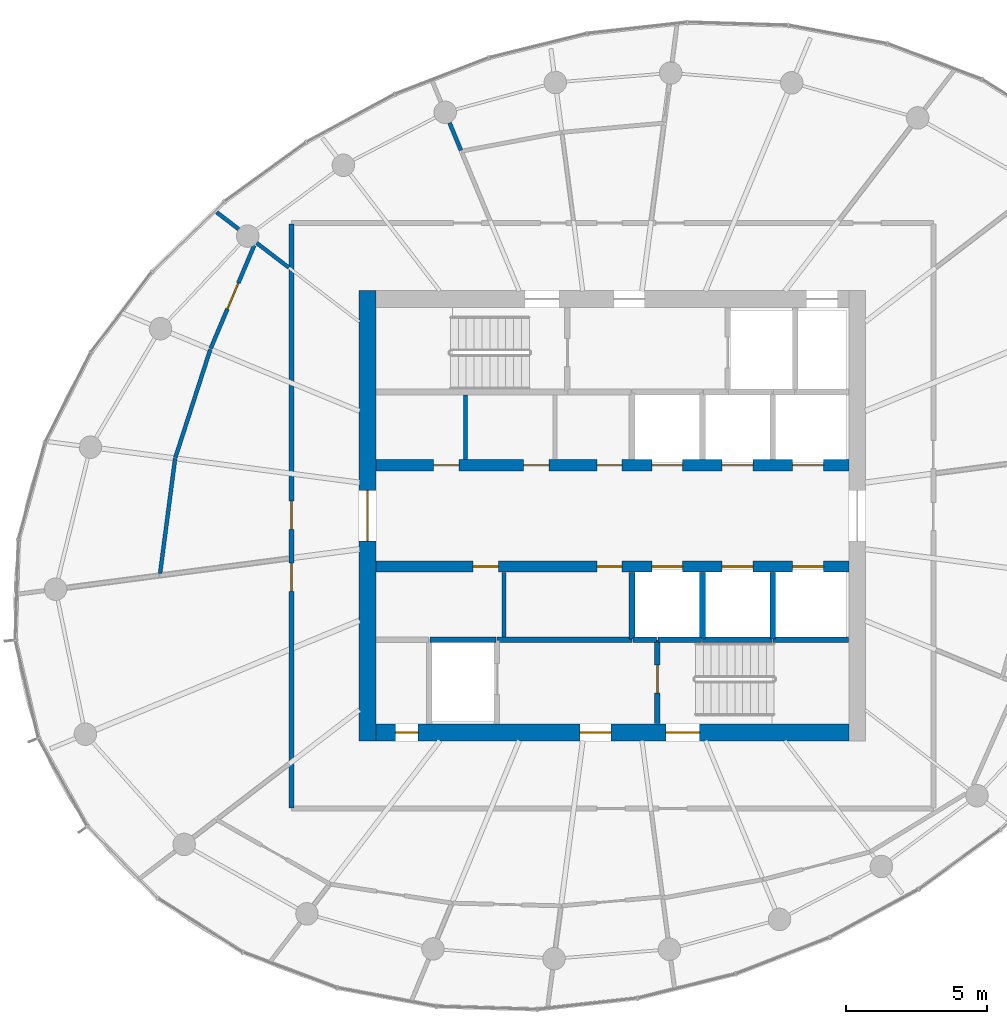
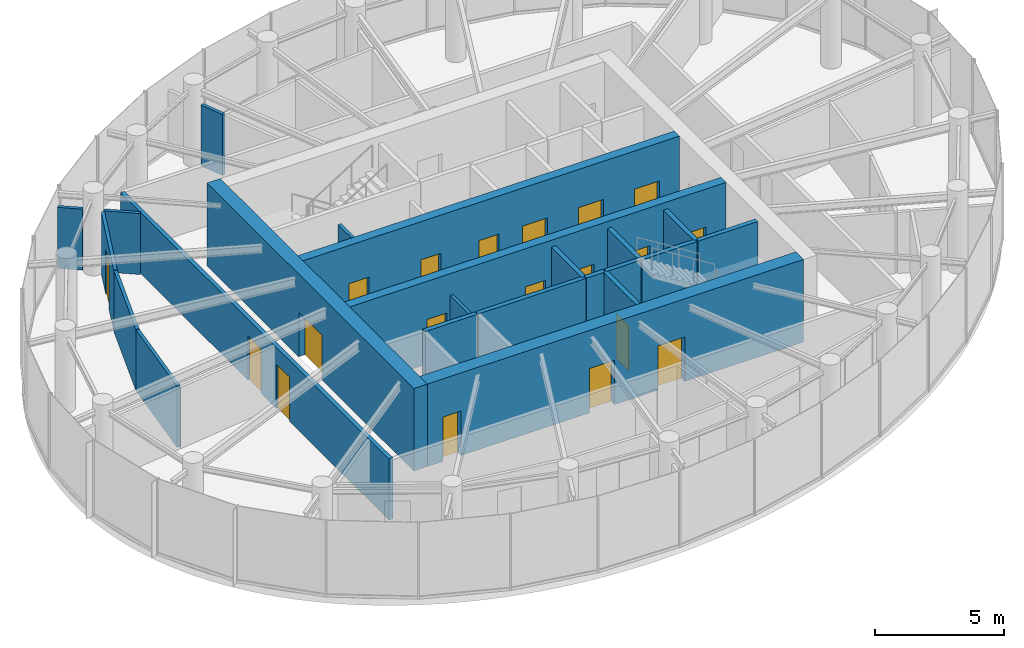
# One storey, part 9 of 13: 23 walls, 19 doors, 19 openings.
"""IFC4 building model written with IfcOpenShell, lengths in metres."""

from ifc_helpers import new_model, si_unit, direction, frame, frame_2d, origin, place, context, subcontext, project, spatial, rectangle, extrude, source, transform, mapped, material, layer, layer_set, type_object, element, fill, save


model = new_model("IFC4")

# Units and contexts
model_context = context("Model", 3, precision=1e-05, world=origin(), true_north=direction((0.0, 1.0)))
body_context = subcontext(model_context, "Body", "Model", "MODEL_VIEW")
ifc_project = project(units=[si_unit("LENGTHUNIT", "METRE"), si_unit("AREAUNIT", "SQUARE_METRE"), si_unit("VOLUMEUNIT", "CUBIC_METRE"), si_unit("PLANEANGLEUNIT", "RADIAN"), si_unit("MASSUNIT", "GRAM", prefix="KILO")], contexts=[model_context])

# Site, building, storey
site_placement = place(None, origin())
site = spatial("IfcSite", under=ifc_project, at=site_placement, CompositionType="ELEMENT")
building_placement = place(site_placement, origin())
building = spatial("IfcBuilding", under=site, at=building_placement, Name="Spindrift Exchange Tower", CompositionType="ELEMENT")
storey_placement = place(building_placement, frame((0.0, 0.0, 242.300048828125)))
storey = spatial("IfcBuildingStorey", under=building, at=storey_placement, Name="L59", CompositionType="ELEMENT", Elevation=242.300048828125)

# Wall, opening, door
ifc_material_1 = material(Name="Concrete 50 MPa", Category="concrete")
ifc_layer_1 = layer(ifc_material_1, 0.60009765625)
ifc_layer_set_1 = layer_set([ifc_layer_1], Name="RC Core Wall 600 Concrete 50 MPa")
wall_type_1 = type_object("IfcWallType", Name="RC Core Wall 600 Concrete 50 MPa", PredefinedType="SHEAR", material=ifc_layer_set_1)
wall_1_placement = place(storey_placement, frame((43.300048828125, 56.0, 0.0), z_axis=(0.0, 0.0, 1.0), x_axis=(0.0, -1.0, 0.0)))
wall_1 = element("IfcWall", 1, at=wall_1_placement, inside=storey, type_object=wall_type_1, Name="Core wall W L59", PredefinedType="SHEAR", context=body_context, shape_type="SweptSolid", body=[
    extrude(rectangle(XDim=16.0, YDim=0.60009765625, at=frame_2d((8.0, 0.0))), origin(), (0.0, 0.0, 1.0), 3.89990234375),
])
opening_1_placement = place(wall_1_placement, frame((7.10009765625, 0.0, 0.0)))
opening_1 = element("IfcOpeningElement", 2, at=opening_1_placement, cuts=wall_1, Name="Opening L59-D1", PredefinedType="OPENING", context=body_context, shape_type="SweptSolid", body=[
    extrude(rectangle(XDim=1.800048828125, YDim=2.10009765625, at=frame_2d((0.89990234375, 1.050048828125))), frame((0.0, 0.31005859375, 0.0), z_axis=(0.0, -1.0, 0.0), x_axis=(1.0, 0.0, 0.0)), (0.0, 0.0, 1.0), 0.6201171875),
])
ifc_material_2 = material(Name="Timber-core fire door", Category="wood")
door_type_1 = type_object("IfcDoorType", Name="DR-LOBBY-1800", OperationType="NOTDEFINED", PredefinedType="DOOR", material=ifc_material_2)
shared_shape_1 = source(origin(), body_context, "Body", "SweptSolid", [
    extrude(rectangle(XDim=1.800048828125, YDim=2.10009765625, at=frame_2d((0.89990234375, 1.050048828125))), frame((0.0, 0.02490234375, 0.0), z_axis=(0.0, -1.0, 0.0), x_axis=(1.0, 0.0, 0.0)), (0.0, 0.0, 1.0), 0.050048828125),
])
door_1_placement = place(opening_1_placement, origin())
door_1 = element("IfcDoor", 3, at=door_1_placement, inside=storey, type_object=door_type_1, Name="L59 Lobby door 1", OperationType="SINGLE_SWING_RIGHT", OverallHeight=2.10009765625, OverallWidth=1.800048828125, PredefinedType="DOOR", context=body_context, shape_type="MappedRepresentation", body=[
    mapped(shared_shape_1, transform((0.0, 0.0, 0.0), scale=1.0)),
])
fill(opening_1, door_1)

# Wall, openings, doors
wall_2_placement = place(storey_placement, frame((43.60009765625, 40.300048828125, 0.0), z_axis=(0.0, 0.0, 1.0), x_axis=(1.0, 0.0, 0.0)))
wall_2 = element("IfcWall", 4, at=wall_2_placement, inside=storey, type_object=wall_type_1, Name="Core wall S L59", PredefinedType="SHEAR", context=body_context, shape_type="SweptSolid", body=[
    extrude(rectangle(XDim=16.7998046875, YDim=0.60009765625, at=frame_2d((8.39990234375, 0.0))), origin(), (0.0, 0.0, 1.0), 3.89990234375),
])
opening_2_placement = place(wall_2_placement, frame((10.300048828125, 0.0, 0.0)))
opening_2 = element("IfcOpeningElement", 5, at=opening_2_placement, cuts=wall_2, Name="Opening L59-D15", PredefinedType="OPENING", context=body_context, shape_type="SweptSolid", body=[
    extrude(rectangle(XDim=1.199951171875, YDim=2.10009765625, at=frame_2d((0.60009765625, 1.050048828125))), frame((0.0, 0.31005859375, 0.0), z_axis=(0.0, -1.0, 0.0), x_axis=(1.0, 0.0, 0.0)), (0.0, 0.0, 1.0), 0.6201171875),
])
opening_3_placement = place(wall_2_placement, frame((7.25, 0.0, 0.0)))
opening_3 = element("IfcOpeningElement", 6, at=opening_3_placement, cuts=wall_2, Name="Opening L59-D17", PredefinedType="OPENING", context=body_context, shape_type="SweptSolid", body=[
    extrude(rectangle(XDim=1.10009765625, YDim=2.10009765625, at=frame_2d((0.550048828125, 1.050048828125))), frame((0.0, 0.31005859375, 0.0), z_axis=(0.0, -1.0, 0.0), x_axis=(1.0, 0.0, 0.0)), (0.0, 0.0, 1.0), 0.6201171875),
])
opening_4_placement = place(wall_2_placement, frame((0.699951171875, 0.0, 0.0)))
opening_4 = element("IfcOpeningElement", 7, at=opening_4_placement, cuts=wall_2, Name="Opening L59-D18", PredefinedType="OPENING", context=body_context, shape_type="SweptSolid", body=[
    extrude(rectangle(XDim=0.800048828125, YDim=2.10009765625, at=frame_2d((0.39990234375, 1.050048828125))), frame((0.0, 0.31005859375, 0.0), z_axis=(0.0, -1.0, 0.0), x_axis=(1.0, 0.0, 0.0)), (0.0, 0.0, 1.0), 0.6201171875),
])
ifc_material_3 = material(Name="Steel fire door", Category="steel")
door_type_2 = type_object("IfcDoorType", Name="DR-STAIR-1200", OperationType="NOTDEFINED", PredefinedType="DOOR", material=ifc_material_3)
shared_shape_2 = source(origin(), body_context, "Body", "SweptSolid", [
    extrude(rectangle(XDim=1.199951171875, YDim=2.10009765625, at=frame_2d((0.60009765625, 1.050048828125))), frame((0.0, 0.02490234375, 0.0), z_axis=(0.0, -1.0, 0.0), x_axis=(1.0, 0.0, 0.0)), (0.0, 0.0, 1.0), 0.050048828125),
])
door_2_placement = place(opening_2_placement, origin())
door_2 = element("IfcDoor", 8, at=door_2_placement, inside=storey, type_object=door_type_2, Name="L59 Stair door 15", OperationType="SINGLE_SWING_LEFT", OverallHeight=2.10009765625, OverallWidth=1.199951171875, PredefinedType="DOOR", context=body_context, shape_type="MappedRepresentation", body=[
    mapped(shared_shape_2, transform((0.0, 0.0, 0.0), scale=1.0)),
])
fill(opening_2, door_2)
door_type_3 = type_object("IfcDoorType", Name="DR-LOBBY-1100", OperationType="NOTDEFINED", PredefinedType="DOOR", material=ifc_material_2)
shared_shape_3 = source(origin(), body_context, "Body", "SweptSolid", [
    extrude(rectangle(XDim=1.10009765625, YDim=2.10009765625, at=frame_2d((0.550048828125, 1.050048828125))), frame((0.0, 0.02490234375, 0.0), z_axis=(0.0, -1.0, 0.0), x_axis=(1.0, 0.0, 0.0)), (0.0, 0.0, 1.0), 0.050048828125),
])
door_3_placement = place(opening_3_placement, origin())
door_3 = element("IfcDoor", 9, at=door_3_placement, inside=storey, type_object=door_type_3, Name="L59 Lobby door 17", OperationType="SINGLE_SWING_LEFT", OverallHeight=2.10009765625, OverallWidth=1.10009765625, PredefinedType="DOOR", context=body_context, shape_type="MappedRepresentation", body=[
    mapped(shared_shape_3, transform((0.0, 0.0, 0.0), scale=1.0)),
])
fill(opening_3, door_3)
ifc_material_4 = material(Name="Steel access door", Category="steel")
door_type_4 = type_object("IfcDoorType", Name="DR-RISER-800", OperationType="NOTDEFINED", PredefinedType="DOOR", material=ifc_material_4)
shared_shape_4 = source(origin(), body_context, "Body", "SweptSolid", [
    extrude(rectangle(XDim=0.800048828125, YDim=2.10009765625, at=frame_2d((0.39990234375, 1.050048828125))), frame((0.0, 0.02490234375, 0.0), z_axis=(0.0, -1.0, 0.0), x_axis=(1.0, 0.0, 0.0)), (0.0, 0.0, 1.0), 0.050048828125),
])
door_4_placement = place(opening_4_placement, origin())
door_4 = element("IfcDoor", 10, at=door_4_placement, inside=storey, type_object=door_type_4, Name="L59 Riser door 18", OperationType="SINGLE_SWING_RIGHT", OverallHeight=2.10009765625, OverallWidth=0.800048828125, PredefinedType="DOOR", context=body_context, shape_type="MappedRepresentation", body=[
    mapped(shared_shape_4, transform((0.0, 0.0, 0.0), scale=1.0)),
])
fill(opening_4, door_4)

ifc_layer_2 = layer(ifc_material_1, 0.39990234375)
ifc_layer_set_2 = layer_set([ifc_layer_2], Name="RC Spine Wall 400 Concrete 50 MPa")
wall_type_2 = type_object("IfcWallType", Name="RC Spine Wall 400 Concrete 50 MPa", PredefinedType="SHEAR", material=ifc_layer_set_2)
wall_3_placement = place(storey_placement, frame((43.60009765625, 49.800048828125, 0.0), z_axis=(0.0, 0.0, 1.0), x_axis=(1.0, 0.0, 0.0)))
wall_3 = element("IfcWall", 11, at=wall_3_placement, inside=storey, type_object=wall_type_2, Name="Core spine wall N L59", PredefinedType="SHEAR", context=body_context, shape_type="SweptSolid", body=[
    extrude(rectangle(XDim=16.7998046875, YDim=0.39990234375, at=frame_2d((8.39990234375, 0.0))), origin(), (0.0, 0.0, 1.0), 3.89990234375),
])
opening_5_placement = place(wall_3_placement, frame((9.800048828125, 0.0, 0.0)))
opening_5 = element("IfcOpeningElement", 12, at=opening_5_placement, cuts=wall_3, Name="Opening L59-D3", PredefinedType="OPENING", context=body_context, shape_type="SweptSolid", body=[
    extrude(rectangle(XDim=1.10009765625, YDim=2.10009765625, at=frame_2d((0.550048828125, 1.050048828125))), frame((0.0, 0.2099609375, 0.0), z_axis=(0.0, -1.0, 0.0), x_axis=(1.0, 0.0, 0.0)), (0.0, 0.0, 1.0), 0.419921875),
])
opening_6_placement = place(wall_3_placement, frame((12.300048828125, 0.0, 0.0)))
opening_6 = element("IfcOpeningElement", 13, at=opening_6_placement, cuts=wall_3, Name="Opening L59-D4", PredefinedType="OPENING", context=body_context, shape_type="SweptSolid", body=[
    extrude(rectangle(XDim=1.10009765625, YDim=2.10009765625, at=frame_2d((0.550048828125, 1.050048828125))), frame((0.0, 0.2099609375, 0.0), z_axis=(0.0, -1.0, 0.0), x_axis=(1.0, 0.0, 0.0)), (0.0, 0.0, 1.0), 0.419921875),
])
opening_7_placement = place(wall_3_placement, frame((14.800048828125, 0.0, 0.0)))
opening_7 = element("IfcOpeningElement", 14, at=opening_7_placement, cuts=wall_3, Name="Opening L59-D5", PredefinedType="OPENING", context=body_context, shape_type="SweptSolid", body=[
    extrude(rectangle(XDim=1.10009765625, YDim=2.10009765625, at=frame_2d((0.550048828125, 1.050048828125))), frame((0.0, 0.2099609375, 0.0), z_axis=(0.0, -1.0, 0.0), x_axis=(1.0, 0.0, 0.0)), (0.0, 0.0, 1.0), 0.419921875),
])
opening_8_placement = place(wall_3_placement, frame((2.050048828125, 0.0, 0.0)))
opening_8 = element("IfcOpeningElement", 15, at=opening_8_placement, cuts=wall_3, Name="Opening L59-D37", PredefinedType="OPENING", context=body_context, shape_type="SweptSolid", body=[
    extrude(rectangle(XDim=0.89990234375, YDim=2.10009765625, at=frame_2d((0.449951171875, 1.050048828125))), frame((0.0, 0.2099609375, 0.0), z_axis=(0.0, -1.0, 0.0), x_axis=(1.0, 0.0, 0.0)), (0.0, 0.0, 1.0), 0.419921875),
])
opening_9_placement = place(wall_3_placement, frame((5.25, 0.0, 0.0)))
opening_9 = element("IfcOpeningElement", 16, at=opening_9_placement, cuts=wall_3, Name="Opening L59-D38", PredefinedType="OPENING", context=body_context, shape_type="SweptSolid", body=[
    extrude(rectangle(XDim=0.89990234375, YDim=2.10009765625, at=frame_2d((0.449951171875, 1.050048828125))), frame((0.0, 0.2099609375, 0.0), z_axis=(0.0, -1.0, 0.0), x_axis=(1.0, 0.0, 0.0)), (0.0, 0.0, 1.0), 0.419921875),
])
opening_10_placement = place(wall_3_placement, frame((7.85009765625, 0.0, 0.0)))
opening_10 = element("IfcOpeningElement", 17, at=opening_10_placement, cuts=wall_3, Name="Opening L59-D39", PredefinedType="OPENING", context=body_context, shape_type="SweptSolid", body=[
    extrude(rectangle(XDim=0.89990234375, YDim=2.10009765625, at=frame_2d((0.449951171875, 1.050048828125))), frame((0.0, 0.2099609375, 0.0), z_axis=(0.0, -1.0, 0.0), x_axis=(1.0, 0.0, 0.0)), (0.0, 0.0, 1.0), 0.419921875),
])
ifc_material_5 = material(Name="Stainless steel landing door", Category="steel")
door_type_5 = type_object("IfcDoorType", Name="DR-LANDING-1100-SL", OperationType="DOUBLE_DOOR_SLIDING", PredefinedType="USERDEFINED", material=ifc_material_5)
shared_shape_5 = source(origin(), body_context, "Body", "SweptSolid", [
    extrude(rectangle(XDim=1.10009765625, YDim=2.10009765625, at=frame_2d((0.550048828125, 1.050048828125))), frame((0.0, 0.02490234375, 0.0), z_axis=(0.0, -1.0, 0.0), x_axis=(1.0, 0.0, 0.0)), (0.0, 0.0, 1.0), 0.050048828125),
])
door_5_placement = place(opening_5_placement, origin())
door_5 = element("IfcDoor", 18, at=door_5_placement, inside=storey, type_object=door_type_5, Name="L59 Lift landing door 3", ObjectType="LANDING DOOR", OperationType="DOUBLE_DOOR_SLIDING", OverallHeight=2.10009765625, OverallWidth=1.10009765625, PredefinedType="USERDEFINED", context=body_context, shape_type="MappedRepresentation", body=[
    mapped(shared_shape_5, transform((0.0, 0.0, 0.0), scale=1.0)),
])
fill(opening_5, door_5)
door_6_placement = place(opening_6_placement, origin())
door_6 = element("IfcDoor", 19, at=door_6_placement, inside=storey, type_object=door_type_5, Name="L59 Lift landing door 4", ObjectType="LANDING DOOR", OperationType="DOUBLE_DOOR_SLIDING", OverallHeight=2.10009765625, OverallWidth=1.10009765625, PredefinedType="USERDEFINED", context=body_context, shape_type="MappedRepresentation", body=[
    mapped(shared_shape_5, transform((0.0, 0.0, 0.0), scale=1.0)),
])
fill(opening_6, door_6)
door_7_placement = place(opening_7_placement, origin())
door_7 = element("IfcDoor", 20, at=door_7_placement, inside=storey, type_object=door_type_5, Name="L59 Lift landing door 5", ObjectType="LANDING DOOR", OperationType="DOUBLE_DOOR_SLIDING", OverallHeight=2.10009765625, OverallWidth=1.10009765625, PredefinedType="USERDEFINED", context=body_context, shape_type="MappedRepresentation", body=[
    mapped(shared_shape_5, transform((0.0, 0.0, 0.0), scale=1.0)),
])
fill(opening_7, door_7)
door_type_6 = type_object("IfcDoorType", Name="DR-RISER-900", OperationType="NOTDEFINED", PredefinedType="DOOR", material=ifc_material_4)
shared_shape_6 = source(origin(), body_context, "Body", "SweptSolid", [
    extrude(rectangle(XDim=0.89990234375, YDim=2.10009765625, at=frame_2d((0.449951171875, 1.050048828125))), frame((0.0, 0.02490234375, 0.0), z_axis=(0.0, -1.0, 0.0), x_axis=(1.0, 0.0, 0.0)), (0.0, 0.0, 1.0), 0.050048828125),
])
door_8_placement = place(opening_8_placement, origin())
door_8 = element("IfcDoor", 21, at=door_8_placement, inside=storey, type_object=door_type_6, Name="L59 Riser door 37", OperationType="SINGLE_SWING_LEFT", OverallHeight=2.10009765625, OverallWidth=0.89990234375, PredefinedType="DOOR", context=body_context, shape_type="MappedRepresentation", body=[
    mapped(shared_shape_6, transform((0.0, 0.0, 0.0), scale=1.0)),
])
fill(opening_8, door_8)
door_9_placement = place(opening_9_placement, origin())
door_9 = element("IfcDoor", 22, at=door_9_placement, inside=storey, type_object=door_type_6, Name="L59 Riser door 38", OperationType="SINGLE_SWING_RIGHT", OverallHeight=2.10009765625, OverallWidth=0.89990234375, PredefinedType="DOOR", context=body_context, shape_type="MappedRepresentation", body=[
    mapped(shared_shape_6, transform((0.0, 0.0, 0.0), scale=1.0)),
])
fill(opening_9, door_9)
door_10_placement = place(opening_10_placement, origin())
door_10 = element("IfcDoor", 23, at=door_10_placement, inside=storey, type_object=door_type_6, Name="L59 Riser door 39", OperationType="SINGLE_SWING_LEFT", OverallHeight=2.10009765625, OverallWidth=0.89990234375, PredefinedType="DOOR", context=body_context, shape_type="MappedRepresentation", body=[
    mapped(shared_shape_6, transform((0.0, 0.0, 0.0), scale=1.0)),
])
fill(opening_10, door_10)

wall_4_placement = place(storey_placement, frame((43.60009765625, 46.199951171875, 0.0), z_axis=(0.0, 0.0, 1.0), x_axis=(1.0, 0.0, 0.0)))
wall_4 = element("IfcWall", 24, at=wall_4_placement, inside=storey, type_object=wall_type_2, Name="Core spine wall S L59", PredefinedType="SHEAR", context=body_context, shape_type="SweptSolid", body=[
    extrude(rectangle(XDim=16.7998046875, YDim=0.39990234375, at=frame_2d((8.39990234375, 0.0))), origin(), (0.0, 0.0, 1.0), 3.89990234375),
])
opening_11_placement = place(wall_4_placement, frame((9.800048828125, 0.0, 0.0)))
opening_11 = element("IfcOpeningElement", 25, at=opening_11_placement, cuts=wall_4, Name="Opening L59-D6", PredefinedType="OPENING", context=body_context, shape_type="SweptSolid", body=[
    extrude(rectangle(XDim=1.10009765625, YDim=2.10009765625, at=frame_2d((0.550048828125, 1.050048828125))), frame((0.0, 0.2099609375, 0.0), z_axis=(0.0, -1.0, 0.0), x_axis=(1.0, 0.0, 0.0)), (0.0, 0.0, 1.0), 0.419921875),
])
opening_12_placement = place(wall_4_placement, frame((12.300048828125, 0.0, 0.0)))
opening_12 = element("IfcOpeningElement", 26, at=opening_12_placement, cuts=wall_4, Name="Opening L59-D7", PredefinedType="OPENING", context=body_context, shape_type="SweptSolid", body=[
    extrude(rectangle(XDim=1.10009765625, YDim=2.10009765625, at=frame_2d((0.550048828125, 1.050048828125))), frame((0.0, 0.2099609375, 0.0), z_axis=(0.0, -1.0, 0.0), x_axis=(1.0, 0.0, 0.0)), (0.0, 0.0, 1.0), 0.419921875),
])
opening_13_placement = place(wall_4_placement, frame((14.800048828125, 0.0, 0.0)))
opening_13 = element("IfcOpeningElement", 27, at=opening_13_placement, cuts=wall_4, Name="Opening L59-D8", PredefinedType="OPENING", context=body_context, shape_type="SweptSolid", body=[
    extrude(rectangle(XDim=1.10009765625, YDim=2.10009765625, at=frame_2d((0.550048828125, 1.050048828125))), frame((0.0, 0.2099609375, 0.0), z_axis=(0.0, -1.0, 0.0), x_axis=(1.0, 0.0, 0.0)), (0.0, 0.0, 1.0), 0.419921875),
])
opening_14_placement = place(wall_4_placement, frame((3.449951171875, 0.0, 0.0)))
opening_14 = element("IfcOpeningElement", 28, at=opening_14_placement, cuts=wall_4, Name="Opening L59-D40", PredefinedType="OPENING", context=body_context, shape_type="SweptSolid", body=[
    extrude(rectangle(XDim=0.89990234375, YDim=2.10009765625, at=frame_2d((0.449951171875, 1.050048828125))), frame((0.0, 0.2099609375, 0.0), z_axis=(0.0, -1.0, 0.0), x_axis=(1.0, 0.0, 0.0)), (0.0, 0.0, 1.0), 0.419921875),
])
opening_15_placement = place(wall_4_placement, frame((7.85009765625, 0.0, 0.0)))
opening_15 = element("IfcOpeningElement", 29, at=opening_15_placement, cuts=wall_4, Name="Opening L59-D41", PredefinedType="OPENING", context=body_context, shape_type="SweptSolid", body=[
    extrude(rectangle(XDim=0.89990234375, YDim=2.10009765625, at=frame_2d((0.449951171875, 1.050048828125))), frame((0.0, 0.2099609375, 0.0), z_axis=(0.0, -1.0, 0.0), x_axis=(1.0, 0.0, 0.0)), (0.0, 0.0, 1.0), 0.419921875),
])
door_11_placement = place(opening_11_placement, origin())
door_11 = element("IfcDoor", 30, at=door_11_placement, inside=storey, type_object=door_type_5, Name="L59 Lift landing door 6", ObjectType="LANDING DOOR", OperationType="DOUBLE_DOOR_SLIDING", OverallHeight=2.10009765625, OverallWidth=1.10009765625, PredefinedType="USERDEFINED", context=body_context, shape_type="MappedRepresentation", body=[
    mapped(shared_shape_5, transform((0.0, 0.0, 0.0), scale=1.0)),
])
fill(opening_11, door_11)
door_12_placement = place(opening_12_placement, origin())
door_12 = element("IfcDoor", 31, at=door_12_placement, inside=storey, type_object=door_type_5, Name="L59 Lift landing door 7", ObjectType="LANDING DOOR", OperationType="DOUBLE_DOOR_SLIDING", OverallHeight=2.10009765625, OverallWidth=1.10009765625, PredefinedType="USERDEFINED", context=body_context, shape_type="MappedRepresentation", body=[
    mapped(shared_shape_5, transform((0.0, 0.0, 0.0), scale=1.0)),
])
fill(opening_12, door_12)
door_13_placement = place(opening_13_placement, origin())
door_13 = element("IfcDoor", 32, at=door_13_placement, inside=storey, type_object=door_type_5, Name="L59 Lift landing door 8", ObjectType="LANDING DOOR", OperationType="DOUBLE_DOOR_SLIDING", OverallHeight=2.10009765625, OverallWidth=1.10009765625, PredefinedType="USERDEFINED", context=body_context, shape_type="MappedRepresentation", body=[
    mapped(shared_shape_5, transform((0.0, 0.0, 0.0), scale=1.0)),
])
fill(opening_13, door_13)
door_14_placement = place(opening_14_placement, origin())
door_14 = element("IfcDoor", 33, at=door_14_placement, inside=storey, type_object=door_type_6, Name="L59 Riser door 40", OperationType="SINGLE_SWING_RIGHT", OverallHeight=2.10009765625, OverallWidth=0.89990234375, PredefinedType="DOOR", context=body_context, shape_type="MappedRepresentation", body=[
    mapped(shared_shape_6, transform((0.0, 0.0, 0.0), scale=1.0)),
])
fill(opening_14, door_14)
door_15_placement = place(opening_15_placement, origin())
door_15 = element("IfcDoor", 34, at=door_15_placement, inside=storey, type_object=door_type_6, Name="L59 Riser door 41", OperationType="SINGLE_SWING_LEFT", OverallHeight=2.10009765625, OverallWidth=0.89990234375, PredefinedType="DOOR", context=body_context, shape_type="MappedRepresentation", body=[
    mapped(shared_shape_6, transform((0.0, 0.0, 0.0), scale=1.0)),
])
fill(opening_15, door_15)

ifc_material_6 = material(Name="Fire-rated plasterboard partition", Category="gypsum")
ifc_layer_3 = layer(ifc_material_6, 0.179931640625)
ifc_layer_set_3 = layer_set([ifc_layer_3], Name="W-CORR-180")
wall_type_3 = type_object("IfcWallType", Name="W-CORR-180", PredefinedType="PARTITIONING", material=ifc_layer_set_3)
wall_5_placement = place(storey_placement, frame((40.60009765625, 37.6298828125, 0.0), z_axis=(0.0, 0.0, 1.0), x_axis=(0.0, 1.0, 0.0)))
wall_5 = element("IfcWall", 35, at=wall_5_placement, inside=storey, type_object=wall_type_3, Name="L59 Partition wall 30", PredefinedType="PARTITIONING", context=body_context, shape_type="SweptSolid", body=[
    extrude(rectangle(XDim=20.740234375, YDim=0.179931640625, at=frame_2d((10.3701171875, 0.0))), origin(), (0.0, 0.0, 1.0), 2.8798828125),
])
opening_16_placement = place(wall_5_placement, frame((9.889892578125, 0.0, 0.0)))
opening_16 = element("IfcOpeningElement", 36, at=opening_16_placement, cuts=wall_5, Name="Opening L59-D22", PredefinedType="OPENING", context=body_context, shape_type="SweptSolid", body=[
    extrude(rectangle(XDim=1.0, YDim=2.10009765625, at=frame_2d((0.5, 1.050048828125))), frame((0.0, 0.099853515625, 0.0), z_axis=(0.0, -1.0, 0.0), x_axis=(1.0, 0.0, 0.0)), (0.0, 0.0, 1.0), 0.199951171875),
])
opening_17_placement = place(wall_5_placement, frame((7.68994140625, 0.0, 0.0)))
opening_17 = element("IfcOpeningElement", 37, at=opening_17_placement, cuts=wall_5, Name="Opening L59-D24", PredefinedType="OPENING", context=body_context, shape_type="SweptSolid", body=[
    extrude(rectangle(XDim=1.0, YDim=2.10009765625, at=frame_2d((0.5, 1.050048828125))), frame((0.0, 0.099853515625, 0.0), z_axis=(0.0, -1.0, 0.0), x_axis=(1.0, 0.0, 0.0)), (0.0, 0.0, 1.0), 0.199951171875),
])
door_type_7 = type_object("IfcDoorType", Name="DR-ROOM-1000", OperationType="NOTDEFINED", PredefinedType="DOOR", material=ifc_material_2)
shared_shape_7 = source(origin(), body_context, "Body", "SweptSolid", [
    extrude(rectangle(XDim=1.0, YDim=2.10009765625, at=frame_2d((0.5, 1.050048828125))), frame((0.0, 0.02490234375, 0.0), z_axis=(0.0, -1.0, 0.0), x_axis=(1.0, 0.0, 0.0)), (0.0, 0.0, 1.0), 0.050048828125),
])
door_16_placement = place(opening_16_placement, origin())
door_16 = element("IfcDoor", 38, at=door_16_placement, inside=storey, type_object=door_type_7, Name="L59 Door 22", OperationType="SINGLE_SWING_RIGHT", OverallHeight=2.10009765625, OverallWidth=1.0, PredefinedType="DOOR", context=body_context, shape_type="MappedRepresentation", body=[
    mapped(shared_shape_7, transform((0.0, 0.0, 0.0), scale=1.0)),
])
fill(opening_16, door_16)
door_17_placement = place(opening_17_placement, origin())
door_17 = element("IfcDoor", 39, at=door_17_placement, inside=storey, type_object=door_type_7, Name="L59 Door 24", OperationType="SINGLE_SWING_RIGHT", OverallHeight=2.10009765625, OverallWidth=1.0, PredefinedType="DOOR", context=body_context, shape_type="MappedRepresentation", body=[
    mapped(shared_shape_7, transform((0.0, 0.0, 0.0), scale=1.0)),
])
fill(opening_17, door_17)

# Walls
ifc_layer_4 = layer(ifc_material_6, 0.139892578125)
ifc_layer_set_4 = layer_set([ifc_layer_4], Name="W-PART-140")
wall_type_4 = type_object("IfcWallType", Name="W-PART-140", PredefinedType="PARTITIONING", material=ifc_layer_set_4)
wall_6_placement = place(storey_placement, frame((36.47021484375, 50.04443359375, 0.0), z_axis=(0.0, 0.0, 1.0), x_axis=(-0.12966570193, -0.991557767224, 0.0)))
element("IfcWall", 40, at=wall_6_placement, inside=storey, type_object=wall_type_4, Name="L59 Partition wall 36", PredefinedType="PARTITIONING", context=body_context, shape_type="SweptSolid", body=[
    extrude(rectangle(XDim=4.12353515625, YDim=0.139892578125, at=frame_2d((2.061767578125, 0.0))), origin(), (0.0, 0.0, 1.0), 2.8798828125),
])
wall_7_placement = place(storey_placement, frame((37.719482421875, 53.915283203125, 0.0), z_axis=(0.0, 0.0, 1.0), x_axis=(-0.307124685322, -0.951669284818, 0.0)))
element("IfcWall", 41, at=wall_7_placement, inside=storey, type_object=wall_type_4, Name="L59 Partition wall 37", PredefinedType="PARTITIONING", context=body_context, shape_type="SweptSolid", body=[
    extrude(rectangle(XDim=4.037353515625, YDim=0.139892578125, at=frame_2d((2.0185546875, 0.0))), origin(), (0.0, 0.0, 1.0), 2.8798828125),
])

# Wall, opening, door
wall_8_placement = place(storey_placement, frame((37.731201171875, 53.94287109375, 0.0), z_axis=(0.0, 0.0, 1.0), x_axis=(0.389219643962, 0.921144977055, 0.0)))
wall_8 = element("IfcWall", 42, at=wall_8_placement, inside=storey, type_object=wall_type_4, Name="L59 Partition wall 40", PredefinedType="PARTITIONING", context=body_context, shape_type="SweptSolid", body=[
    extrude(rectangle(XDim=3.979248046875, YDim=0.139892578125, at=frame_2d((1.98974609375, 0.0))), origin(), (0.0, 0.0, 1.0), 2.8798828125),
])
opening_18_placement = place(wall_8_placement, frame((1.529541015625, 0.0, 0.0)))
opening_18 = element("IfcOpeningElement", 43, at=opening_18_placement, cuts=wall_8, Name="Opening L59-D23", PredefinedType="OPENING", context=body_context, shape_type="SweptSolid", body=[
    extrude(rectangle(XDim=1.0, YDim=2.10009765625, at=frame_2d((0.5, 1.050048828125))), frame((0.0, 0.079833984375, 0.0), z_axis=(0.0, -1.0, 0.0), x_axis=(1.0, 0.0, 0.0)), (0.0, 0.0, 1.0), 0.159912109375),
])
door_18_placement = place(opening_18_placement, origin())
door_18 = element("IfcDoor", 44, at=door_18_placement, inside=storey, type_object=door_type_7, Name="L59 Door 23", OperationType="SINGLE_SWING_LEFT", OverallHeight=2.10009765625, OverallWidth=1.0, PredefinedType="DOOR", context=body_context, shape_type="MappedRepresentation", body=[
    mapped(shared_shape_7, transform((0.0, 0.0, 0.0), scale=1.0)),
])
fill(opening_18, door_18)

# Walls
for number, where, z_axis, x_axis, name in (
    (45, (46.784912109375, 50.010009765625, 0.0), (0.0, 0.0, 1.0), (0.0, 1.0, 0.0), "L59 Partition wall 57"),
    (46, (48.14990234375, 43.699951171875, 0.0), (0.0, 0.0, 1.0), (0.0, 1.0, 0.0), "L59 Partition wall 58"),
):
    element("IfcWall", number, at=place(storey_placement, frame(where, z_axis=z_axis, x_axis=x_axis)), inside=storey, type_object=wall_type_4, Name=name, PredefinedType="PARTITIONING", context=body_context, shape_type="SweptSolid", body=[
        extrude(rectangle(XDim=2.2900390625, YDim=0.139892578125, at=frame_2d((1.14501953125, 0.0))), origin(), (0.0, 0.0, 1.0), 2.8798828125),
    ])
wall_9_placement = place(storey_placement, frame((40.510009765625, 56.816650390625, 0.0), z_axis=(0.0, 0.0, 1.0), x_axis=(-0.793316945216, 0.608808857059, 0.0)))
element("IfcWall", 47, at=wall_9_placement, inside=storey, type_object=wall_type_4, Name="L59 Partition wall 65", PredefinedType="PARTITIONING", context=body_context, shape_type="SweptSolid", body=[
    extrude(rectangle(XDim=1.439697265625, YDim=0.139892578125, at=frame_2d((0.7197265625, 0.0))), origin(), (0.0, 0.0, 1.0), 2.8798828125),
])
wall_10_placement = place(storey_placement, frame((46.622802734375, 60.98193359375, 0.0), z_axis=(0.0, 0.0, 1.0), x_axis=(-0.382698137168, 0.923873441445, 0.0)))
element("IfcWall", 48, at=wall_10_placement, inside=storey, type_object=wall_type_4, Name="L59 Partition wall 73", PredefinedType="PARTITIONING", context=body_context, shape_type="SweptSolid", body=[
    extrude(rectangle(XDim=1.058349609375, YDim=0.139892578125, at=frame_2d((0.529296875, 0.0))), origin(), (0.0, 0.0, 1.0), 2.8798828125),
])
wall_11_placement = place(storey_placement, frame((38.72607421875, 58.185546875, 0.0), z_axis=(0.0, 0.0, 1.0), x_axis=(-0.793454398597, 0.608629704622, 0.0)))
element("IfcWall", 49, at=wall_11_placement, inside=storey, type_object=wall_type_4, Name="L59 Partition wall 78", PredefinedType="PARTITIONING", context=body_context, shape_type="SweptSolid", body=[
    extrude(rectangle(XDim=0.982666015625, YDim=0.139892578125, at=frame_2d((0.4912109375, 0.0))), origin(), (0.0, 0.0, 1.0), 2.8798828125),
])
ifc_material_7 = material(Name="Concrete 40 MPa", Category="concrete")
ifc_layer_5 = layer(ifc_material_7, 0.199951171875)
ifc_layer_set_5 = layer_set([ifc_layer_5], Name="W-SHAFT-200")
wall_type_5 = type_object("IfcWallType", Name="W-SHAFT-200", PredefinedType="SOLIDWALL", material=ifc_layer_set_5)
wall_12_placement = place(storey_placement, frame((52.699951171875, 43.60009765625, 0.0), z_axis=(0.0, 0.0, 1.0), x_axis=(-1.0, 0.0, 0.0)))
element("IfcWall", 50, at=wall_12_placement, inside=storey, type_object=wall_type_5, Name="L59 Shaft wall 2", PredefinedType="SOLIDWALL", context=body_context, shape_type="SweptSolid", body=[
    extrude(rectangle(XDim=4.800048828125, YDim=0.199951171875, at=frame_2d((2.39990234375, 0.0))), origin(), (0.0, 0.0, 1.0), 3.579833984375),
])
wall_13_placement = place(storey_placement, frame((47.8701171875, 43.60009765625, 0.0), z_axis=(0.0, 0.0, 1.0), x_axis=(-1.0, 0.0, 0.0)))
element("IfcWall", 51, at=wall_13_placement, inside=storey, type_object=wall_type_5, Name="L59 Shaft wall 12", PredefinedType="SOLIDWALL", context=body_context, shape_type="SweptSolid", body=[
    extrude(rectangle(XDim=2.340087890625, YDim=0.199951171875, at=frame_2d((1.169921875, 0.0))), origin(), (0.0, 0.0, 1.0), 3.579833984375),
])
wall_14_placement = place(storey_placement, frame((52.699951171875, 45.989990234375, 0.0), z_axis=(0.0, 0.0, 1.0), x_axis=(0.0, -1.0, 0.0)))
element("IfcWall", 52, at=wall_14_placement, inside=storey, type_object=wall_type_5, Name="L59 Shaft wall 13", PredefinedType="SOLIDWALL", context=body_context, shape_type="SweptSolid", body=[
    extrude(rectangle(XDim=2.360107421875, YDim=0.199951171875, at=frame_2d((1.18017578125, 0.0))), origin(), (0.0, 0.0, 1.0), 3.579833984375),
])

# Wall, opening, door
ifc_layer_6 = layer(ifc_material_7, 0.199951171875)
ifc_layer_set_6 = layer_set([ifc_layer_6], Name="W-SHAFT-200-LB")
wall_type_6 = type_object("IfcWallType", Name="W-SHAFT-200-LB", PredefinedType="SOLIDWALL", material=ifc_layer_set_6)
wall_15_placement = place(storey_placement, frame((53.60009765625, 43.60009765625, 0.0), z_axis=(0.0, 0.0, 1.0), x_axis=(0.0, -1.0, 0.0)))
wall_15 = element("IfcWall", 53, at=wall_15_placement, inside=storey, type_object=wall_type_6, Name="L59 Shaft wall 6", PredefinedType="SOLIDWALL", context=body_context, shape_type="SweptSolid", body=[
    extrude(rectangle(XDim=2.97998046875, YDim=0.199951171875, at=frame_2d((1.489990234375, 0.0))), origin(), (0.0, 0.0, 1.0), 3.579833984375),
])
opening_19_placement = place(wall_15_placement, frame((0.89990234375, 0.0, 0.0)))
opening_19 = element("IfcOpeningElement", 54, at=opening_19_placement, cuts=wall_15, Name="Opening L59-D16", PredefinedType="OPENING", context=body_context, shape_type="SweptSolid", body=[
    extrude(rectangle(XDim=1.0, YDim=2.10009765625, at=frame_2d((0.5, 1.050048828125))), frame((0.0, 0.10986328125, 0.0), z_axis=(0.0, -1.0, 0.0), x_axis=(1.0, 0.0, 0.0)), (0.0, 0.0, 1.0), 0.219970703125),
])
door_type_8 = type_object("IfcDoorType", Name="DR-STAIR-1000", OperationType="NOTDEFINED", PredefinedType="DOOR", material=ifc_material_3)
shared_shape_8 = source(origin(), body_context, "Body", "SweptSolid", [
    extrude(rectangle(XDim=1.0, YDim=2.10009765625, at=frame_2d((0.5, 1.050048828125))), frame((0.0, 0.02490234375, 0.0), z_axis=(0.0, -1.0, 0.0), x_axis=(1.0, 0.0, 0.0)), (0.0, 0.0, 1.0), 0.050048828125),
])
door_19_placement = place(opening_19_placement, origin())
door_19 = element("IfcDoor", 55, at=door_19_placement, inside=storey, type_object=door_type_8, Name="L59 Stair door 16", OperationType="SINGLE_SWING_RIGHT", OverallHeight=2.10009765625, OverallWidth=1.0, PredefinedType="DOOR", context=body_context, shape_type="MappedRepresentation", body=[
    mapped(shared_shape_8, transform((0.0, 0.0, 0.0), scale=1.0)),
])
fill(opening_19, door_19)

# Walls
wall_16_placement = place(storey_placement, frame((57.699951171875, 43.60009765625, 0.0), z_axis=(0.0, 0.0, 1.0), x_axis=(1.0, 0.0, 0.0)))
element("IfcWall", 56, at=wall_16_placement, inside=storey, type_object=wall_type_6, Name="L59 Shaft wall 9", PredefinedType="SOLIDWALL", context=body_context, shape_type="SweptSolid", body=[
    extrude(rectangle(XDim=2.679931640625, YDim=0.199951171875, at=frame_2d((1.33984375, 0.0))), origin(), (0.0, 0.0, 1.0), 3.579833984375),
])
wall_17_placement = place(storey_placement, frame((55.199951171875, 43.60009765625, 0.0), z_axis=(0.0, 0.0, 1.0), x_axis=(1.0, 0.0, 0.0)))
element("IfcWall", 57, at=wall_17_placement, inside=storey, type_object=wall_type_6, Name="L59 Shaft wall 11", PredefinedType="SOLIDWALL", context=body_context, shape_type="SweptSolid", body=[
    extrude(rectangle(XDim=2.469970703125, YDim=0.199951171875, at=frame_2d((1.23486328125, 0.0))), origin(), (0.0, 0.0, 1.0), 3.579833984375),
])
for number, where, z_axis, x_axis, name in (
    (58, (55.199951171875, 43.6298828125, 0.0), (0.0, 0.0, 1.0), (0.0, 1.0, 0.0), "L59 Shaft wall 15"),
    (59, (57.699951171875, 43.6298828125, 0.0), (0.0, 0.0, 1.0), (0.0, 1.0, 0.0), "L59 Shaft wall 17"),
):
    element("IfcWall", number, at=place(storey_placement, frame(where, z_axis=z_axis, x_axis=x_axis)), inside=storey, type_object=wall_type_6, Name=name, PredefinedType="SOLIDWALL", context=body_context, shape_type="SweptSolid", body=[
        extrude(rectangle(XDim=2.360107421875, YDim=0.199951171875, at=frame_2d((1.18017578125, 0.0))), origin(), (0.0, 0.0, 1.0), 3.579833984375),
    ])
wall_18_placement = place(storey_placement, frame((53.6298828125, 43.60009765625, 0.0), z_axis=(0.0, 0.0, 1.0), x_axis=(1.0, 0.0, 0.0)))
element("IfcWall", 60, at=wall_18_placement, inside=storey, type_object=wall_type_6, Name="L59 Shaft wall 22", PredefinedType="SOLIDWALL", context=body_context, shape_type="SweptSolid", body=[
    extrude(rectangle(XDim=1.5400390625, YDim=0.199951171875, at=frame_2d((0.77001953125, 0.0))), origin(), (0.0, 0.0, 1.0), 3.579833984375),
])
wall_19_placement = place(storey_placement, frame((52.72998046875, 43.60009765625, 0.0), z_axis=(0.0, 0.0, 1.0), x_axis=(1.0, 0.0, 0.0)))
element("IfcWall", 61, at=wall_19_placement, inside=storey, type_object=wall_type_6, Name="L59 Shaft wall 24", PredefinedType="SOLIDWALL", context=body_context, shape_type="SweptSolid", body=[
    extrude(rectangle(XDim=0.840087890625, YDim=0.199951171875, at=frame_2d((0.419921875, 0.0))), origin(), (0.0, 0.0, 1.0), 3.579833984375),
])

save(model, "model.ifc")
